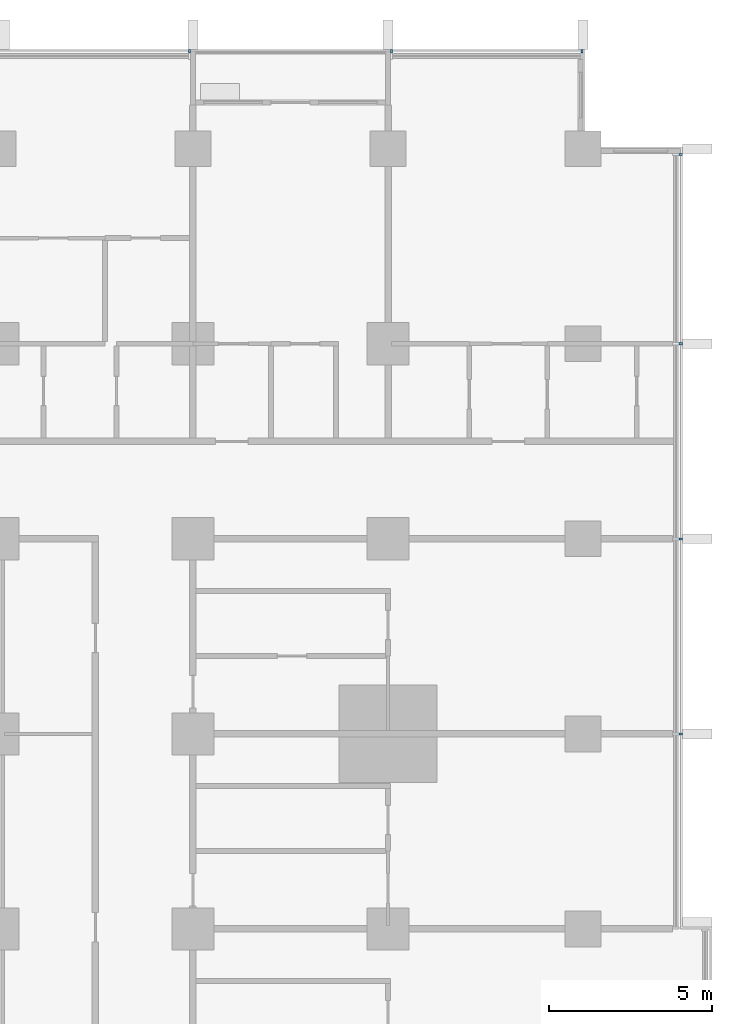
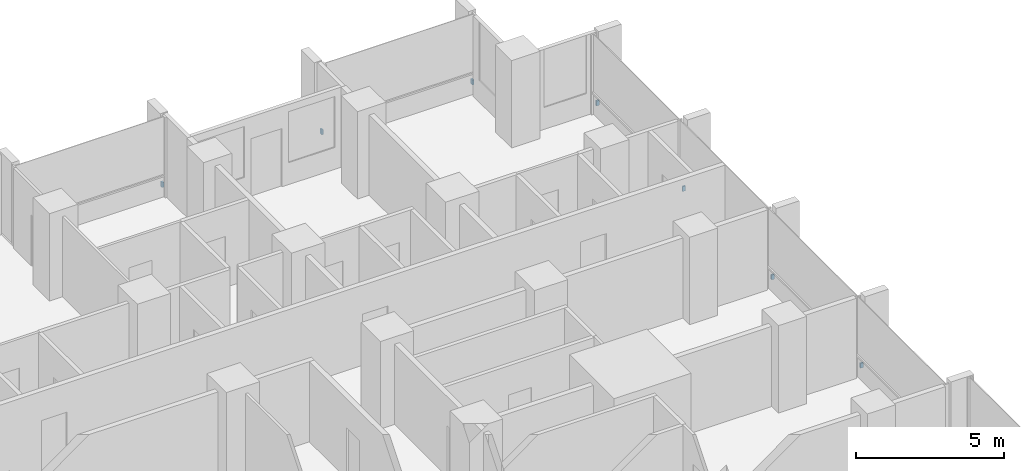
# One storey, part 17 of 18: 7 discrete accessories.
"""IFC4 building model written with IfcOpenShell, lengths in metres."""

from ifc_helpers import new_model, si_unit, direction, frame, origin, origin_2d, place, context, subcontext, project, spatial, rectangle, extrude, material, type_object, element, save


model = new_model("IFC4")

# Units and contexts
model_context = context("Model", 3, precision=1e-05, world=origin(), true_north=direction((0.0, 1.0)))
body_context = subcontext(model_context, "Body", "Model", "MODEL_VIEW")
ifc_project = project(units=[si_unit("LENGTHUNIT", "METRE"), si_unit("AREAUNIT", "SQUARE_METRE"), si_unit("VOLUMEUNIT", "CUBIC_METRE"), si_unit("PLANEANGLEUNIT", "RADIAN"), si_unit("MASSUNIT", "GRAM", prefix="KILO")], contexts=[model_context])

# Site, building, storey
site_placement = place(None, origin())
site = spatial("IfcSite", under=ifc_project, at=site_placement, CompositionType="ELEMENT")
building_placement = place(site_placement, origin())
building = spatial("IfcBuilding", under=site, at=building_placement, Name="Finial Court Residences", CompositionType="ELEMENT")
storey_placement = place(building_placement, frame((0.0, 0.0, 57.699951171875)))
storey = spatial("IfcBuildingStorey", under=building, at=storey_placement, Name="L13", CompositionType="ELEMENT", Elevation=57.699951171875)

# Discrete accessories
ifc_material = material(Name="Stainless steel 316", Category="steel")
discrete_accessory_type = type_object("IfcDiscreteAccessoryType", Name="Fin bracket, stainless steel 65 x 110 x 200", PredefinedType="BRACKET", material=ifc_material)
for number, where, z_axis, x_axis, name in (
    (1, (10.392578125, 28.5048828125, 0.30029296875), (0.0, 0.0, 1.0), (1.0, 0.0, 0.0), "E-L13-FIN-N6-BRK"),
    (2, (16.607421875, 28.5048828125, 0.30029296875), (0.0, 0.0, 1.0), (1.0, 0.0, 0.0), "E-L13-FIN-N7-BRK"),
    (3, (22.467529296875, 28.5048828125, 0.30029296875), (0.0, 0.0, 1.0), (1.0, 0.0, 0.0), "E-L13-FIN-N8-BRK"),
):
    element("IfcDiscreteAccessory", number, at=place(storey_placement, frame(where, z_axis=z_axis, x_axis=x_axis)), inside=storey, type_object=discrete_accessory_type, Name=name, PredefinedType="BRACKET", context=body_context, shape_type="SweptSolid", body=[
        extrude(rectangle(XDim=0.06494140625, YDim=0.110107421875, at=origin_2d()), origin(), (0.0, 0.0, 1.0), 0.199951171875),
    ])
for number, where, z_axis, x_axis, name in (
    (4, (25.5048828125, 7.5, 0.30029296875), (0.0, 0.0, 1.0), (1.0, 0.0, 0.0), "E-L13-FIN-E13-BRK"),
    (5, (25.5048828125, 13.5, 0.30029296875), (0.0, 0.0, 1.0), (1.0, 0.0, 0.0), "E-L13-FIN-E14-BRK"),
    (6, (25.5048828125, 19.5, 0.30029296875), (0.0, 0.0, 1.0), (1.0, 0.0, 0.0), "E-L13-FIN-E15-BRK"),
    (7, (25.5048828125, 25.3173828125, 0.30029296875), (0.0, 0.0, 1.0), (1.0, 0.0, 0.0), "E-L13-FIN-E16-BRK"),
):
    element("IfcDiscreteAccessory", number, at=place(storey_placement, frame(where, z_axis=z_axis, x_axis=x_axis)), inside=storey, type_object=discrete_accessory_type, Name=name, PredefinedType="BRACKET", context=body_context, shape_type="SweptSolid", body=[
        extrude(rectangle(XDim=0.110107421875, YDim=0.06494140625, at=origin_2d()), origin(), (0.0, 0.0, 1.0), 0.199951171875),
    ])

save(model, "model.ifc")
